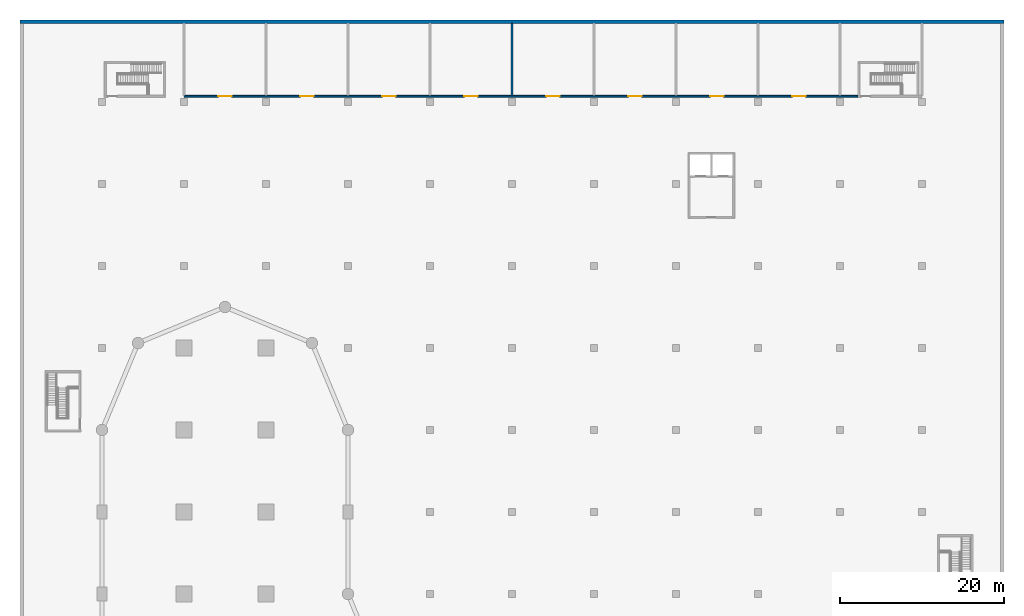
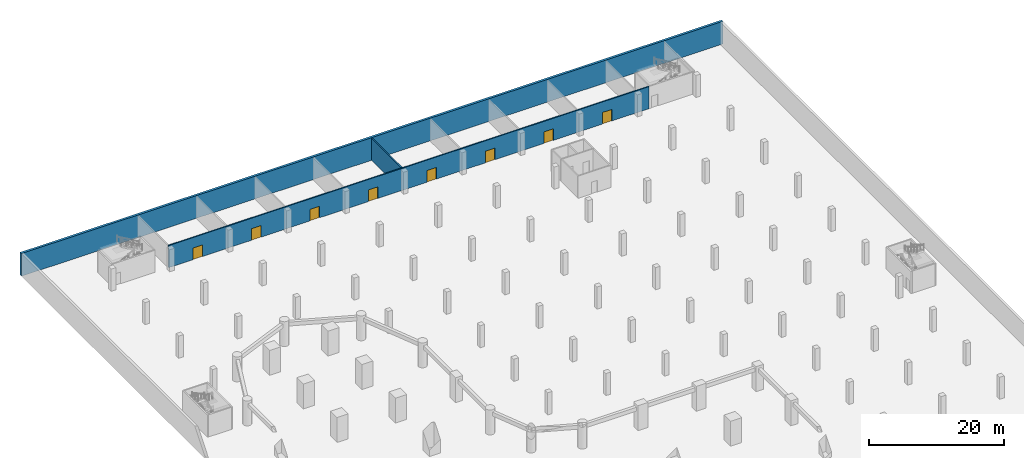
# One storey, part 10 of 19: 8 doors, 3 walls, 8 openings.
"""IFC4 building model written with IfcOpenShell, lengths in metres."""

from ifc_helpers import new_model, si_unit, direction, frame, frame_2d, origin, place, context, subcontext, project, spatial, rectangle, extrude, material, layer, layer_set, type_object, element, fill, save


model = new_model("IFC4")

# Units and contexts
model_context = context("Model", 3, precision=1e-05, world=origin(), true_north=direction((0.0, 1.0)))
body_context = subcontext(model_context, "Body", "Model", "MODEL_VIEW")
ifc_project = project(units=[si_unit("LENGTHUNIT", "METRE"), si_unit("AREAUNIT", "SQUARE_METRE"), si_unit("VOLUMEUNIT", "CUBIC_METRE"), si_unit("PLANEANGLEUNIT", "RADIAN"), si_unit("MASSUNIT", "GRAM", prefix="KILO")], contexts=[model_context])

# Site, building, storey
site_placement = place(None, origin())
site = spatial("IfcSite", under=ifc_project, at=site_placement, CompositionType="ELEMENT")
building_placement = place(site_placement, origin())
building = spatial("IfcBuilding", under=site, at=building_placement, Name="Qaws Garden Tower", CompositionType="ELEMENT")
storey_placement = place(building_placement, frame((0.0, 0.0, -4.5)))
storey = spatial("IfcBuildingStorey", under=building, at=storey_placement, Name="B1", CompositionType="ELEMENT", Elevation=-4.5)

# Wall, openings, doors
ifc_material_1 = material(Name="Blockwork", Category="masonry")
ifc_layer_1 = layer(ifc_material_1, 0.199951171875)
ifc_layer_set_1 = layer_set([ifc_layer_1], Name="Blockwork")
wall_type_1 = type_object("IfcWallType", Name="Plant room wall 200", PredefinedType="PARTITIONING", material=ifc_layer_set_1)
wall_1_placement = place(storey_placement, frame((10.0, 100.699951171875, 0.0), z_axis=(0.0, 0.0, 1.0), x_axis=(1.0, 0.0, 0.0)))
wall_1 = element("IfcWall", 1, at=wall_1_placement, inside=storey, type_object=wall_type_1, Name="Plant room wall", PredefinedType="PARTITIONING", context=body_context, shape_type="SweptSolid", body=[
    extrude(rectangle(XDim=82.199951171875, YDim=0.199951171875, at=frame_2d((41.10009765625, 0.0))), origin(), (0.0, 0.0, 1.0), 4.0),
])
opening_1_placement = place(wall_1_placement, frame((4.199951171875, 0.0, 0.0)))
opening_1 = element("IfcOpeningElement", 2, at=opening_1_placement, cuts=wall_1, Name="Opening PD7-01", PredefinedType="OPENING", context=body_context, shape_type="SweptSolid", body=[
    extrude(rectangle(XDim=1.60009765625, YDim=2.10009765625, at=frame_2d((0.800048828125, 1.050048828125))), frame((0.0, 0.10986328125, 0.0), z_axis=(0.0, -1.0, 0.0), x_axis=(1.0, 0.0, 0.0)), (0.0, 0.0, 1.0), 0.219970703125),
])
opening_2_placement = place(wall_1_placement, frame((14.199951171875, 0.0, 0.0)))
opening_2 = element("IfcOpeningElement", 3, at=opening_2_placement, cuts=wall_1, Name="Opening PD7-02", PredefinedType="OPENING", context=body_context, shape_type="SweptSolid", body=[
    extrude(rectangle(XDim=1.60009765625, YDim=2.10009765625, at=frame_2d((0.800048828125, 1.050048828125))), frame((0.0, 0.10986328125, 0.0), z_axis=(0.0, -1.0, 0.0), x_axis=(1.0, 0.0, 0.0)), (0.0, 0.0, 1.0), 0.219970703125),
])
opening_3_placement = place(wall_1_placement, frame((24.199951171875, 0.0, 0.0)))
opening_3 = element("IfcOpeningElement", 4, at=opening_3_placement, cuts=wall_1, Name="Opening PD7-03", PredefinedType="OPENING", context=body_context, shape_type="SweptSolid", body=[
    extrude(rectangle(XDim=1.60009765625, YDim=2.10009765625, at=frame_2d((0.800048828125, 1.050048828125))), frame((0.0, 0.10986328125, 0.0), z_axis=(0.0, -1.0, 0.0), x_axis=(1.0, 0.0, 0.0)), (0.0, 0.0, 1.0), 0.219970703125),
])
opening_4_placement = place(wall_1_placement, frame((34.199951171875, 0.0, 0.0)))
opening_4 = element("IfcOpeningElement", 5, at=opening_4_placement, cuts=wall_1, Name="Opening PD7-04", PredefinedType="OPENING", context=body_context, shape_type="SweptSolid", body=[
    extrude(rectangle(XDim=1.60009765625, YDim=2.10009765625, at=frame_2d((0.800048828125, 1.050048828125))), frame((0.0, 0.10986328125, 0.0), z_axis=(0.0, -1.0, 0.0), x_axis=(1.0, 0.0, 0.0)), (0.0, 0.0, 1.0), 0.219970703125),
])
opening_5_placement = place(wall_1_placement, frame((44.199951171875, 0.0, 0.0)))
opening_5 = element("IfcOpeningElement", 6, at=opening_5_placement, cuts=wall_1, Name="Opening PD7-05", PredefinedType="OPENING", context=body_context, shape_type="SweptSolid", body=[
    extrude(rectangle(XDim=1.60009765625, YDim=2.10009765625, at=frame_2d((0.800048828125, 1.050048828125))), frame((0.0, 0.10986328125, 0.0), z_axis=(0.0, -1.0, 0.0), x_axis=(1.0, 0.0, 0.0)), (0.0, 0.0, 1.0), 0.219970703125),
])
opening_6_placement = place(wall_1_placement, frame((54.199951171875, 0.0, 0.0)))
opening_6 = element("IfcOpeningElement", 7, at=opening_6_placement, cuts=wall_1, Name="Opening PD7-06", PredefinedType="OPENING", context=body_context, shape_type="SweptSolid", body=[
    extrude(rectangle(XDim=1.60009765625, YDim=2.10009765625, at=frame_2d((0.800048828125, 1.050048828125))), frame((0.0, 0.10986328125, 0.0), z_axis=(0.0, -1.0, 0.0), x_axis=(1.0, 0.0, 0.0)), (0.0, 0.0, 1.0), 0.219970703125),
])
opening_7_placement = place(wall_1_placement, frame((64.199951171875, 0.0, 0.0)))
opening_7 = element("IfcOpeningElement", 8, at=opening_7_placement, cuts=wall_1, Name="Opening PD7-07", PredefinedType="OPENING", context=body_context, shape_type="SweptSolid", body=[
    extrude(rectangle(XDim=1.60009765625, YDim=2.10009765625, at=frame_2d((0.800048828125, 1.050048828125))), frame((0.0, 0.10986328125, 0.0), z_axis=(0.0, -1.0, 0.0), x_axis=(1.0, 0.0, 0.0)), (0.0, 0.0, 1.0), 0.219970703125),
])
opening_8_placement = place(wall_1_placement, frame((74.199951171875, 0.0, 0.0)))
opening_8 = element("IfcOpeningElement", 9, at=opening_8_placement, cuts=wall_1, Name="Opening PD7-08", PredefinedType="OPENING", context=body_context, shape_type="SweptSolid", body=[
    extrude(rectangle(XDim=1.60009765625, YDim=2.10009765625, at=frame_2d((0.800048828125, 1.050048828125))), frame((0.0, 0.10986328125, 0.0), z_axis=(0.0, -1.0, 0.0), x_axis=(1.0, 0.0, 0.0)), (0.0, 0.0, 1.0), 0.219970703125),
])
ifc_material_2 = material(Name="Steel S235 framed door leaf", Category="steel")
door_type = type_object("IfcDoorType", Name="Door D7 plant double 1600", OperationType="DOUBLE_DOOR_SINGLE_SWING", PredefinedType="DOOR", material=ifc_material_2)
door_1_placement = place(opening_1_placement, origin())
door_1 = element("IfcDoor", 10, at=door_1_placement, inside=storey, type_object=door_type, Name="Plant room door", OperationType="DOUBLE_DOOR_SINGLE_SWING", OverallHeight=2.10009765625, OverallWidth=1.60009765625, PredefinedType="DOOR", context=body_context, shape_type="SweptSolid", body=[
    extrude(rectangle(XDim=1.60009765625, YDim=2.10009765625, at=frame_2d((0.800048828125, 1.050048828125))), frame((0.0, 0.02490234375, 0.0), z_axis=(0.0, -1.0, 0.0), x_axis=(1.0, 0.0, 0.0)), (0.0, 0.0, 1.0), 0.050048828125),
])
fill(opening_1, door_1)
door_2_placement = place(opening_2_placement, origin())
door_2 = element("IfcDoor", 11, at=door_2_placement, inside=storey, type_object=door_type, Name="Plant room door", OperationType="DOUBLE_DOOR_SINGLE_SWING", OverallHeight=2.10009765625, OverallWidth=1.60009765625, PredefinedType="DOOR", context=body_context, shape_type="SweptSolid", body=[
    extrude(rectangle(XDim=1.60009765625, YDim=2.10009765625, at=frame_2d((0.800048828125, 1.050048828125))), frame((0.0, 0.02490234375, 0.0), z_axis=(0.0, -1.0, 0.0), x_axis=(1.0, 0.0, 0.0)), (0.0, 0.0, 1.0), 0.050048828125),
])
fill(opening_2, door_2)
door_3_placement = place(opening_3_placement, origin())
door_3 = element("IfcDoor", 12, at=door_3_placement, inside=storey, type_object=door_type, Name="Plant room door", OperationType="DOUBLE_DOOR_SINGLE_SWING", OverallHeight=2.10009765625, OverallWidth=1.60009765625, PredefinedType="DOOR", context=body_context, shape_type="SweptSolid", body=[
    extrude(rectangle(XDim=1.60009765625, YDim=2.10009765625, at=frame_2d((0.800048828125, 1.050048828125))), frame((0.0, 0.02490234375, 0.0), z_axis=(0.0, -1.0, 0.0), x_axis=(1.0, 0.0, 0.0)), (0.0, 0.0, 1.0), 0.050048828125),
])
fill(opening_3, door_3)
door_4_placement = place(opening_4_placement, origin())
door_4 = element("IfcDoor", 13, at=door_4_placement, inside=storey, type_object=door_type, Name="Plant room door", OperationType="DOUBLE_DOOR_SINGLE_SWING", OverallHeight=2.10009765625, OverallWidth=1.60009765625, PredefinedType="DOOR", context=body_context, shape_type="SweptSolid", body=[
    extrude(rectangle(XDim=1.60009765625, YDim=2.10009765625, at=frame_2d((0.800048828125, 1.050048828125))), frame((0.0, 0.02490234375, 0.0), z_axis=(0.0, -1.0, 0.0), x_axis=(1.0, 0.0, 0.0)), (0.0, 0.0, 1.0), 0.050048828125),
])
fill(opening_4, door_4)
door_5_placement = place(opening_5_placement, origin())
door_5 = element("IfcDoor", 14, at=door_5_placement, inside=storey, type_object=door_type, Name="Plant room door", OperationType="DOUBLE_DOOR_SINGLE_SWING", OverallHeight=2.10009765625, OverallWidth=1.60009765625, PredefinedType="DOOR", context=body_context, shape_type="SweptSolid", body=[
    extrude(rectangle(XDim=1.60009765625, YDim=2.10009765625, at=frame_2d((0.800048828125, 1.050048828125))), frame((0.0, 0.02490234375, 0.0), z_axis=(0.0, -1.0, 0.0), x_axis=(1.0, 0.0, 0.0)), (0.0, 0.0, 1.0), 0.050048828125),
])
fill(opening_5, door_5)
door_6_placement = place(opening_6_placement, origin())
door_6 = element("IfcDoor", 15, at=door_6_placement, inside=storey, type_object=door_type, Name="Plant room door", OperationType="DOUBLE_DOOR_SINGLE_SWING", OverallHeight=2.10009765625, OverallWidth=1.60009765625, PredefinedType="DOOR", context=body_context, shape_type="SweptSolid", body=[
    extrude(rectangle(XDim=1.60009765625, YDim=2.10009765625, at=frame_2d((0.800048828125, 1.050048828125))), frame((0.0, 0.02490234375, 0.0), z_axis=(0.0, -1.0, 0.0), x_axis=(1.0, 0.0, 0.0)), (0.0, 0.0, 1.0), 0.050048828125),
])
fill(opening_6, door_6)
door_7_placement = place(opening_7_placement, origin())
door_7 = element("IfcDoor", 16, at=door_7_placement, inside=storey, type_object=door_type, Name="Plant room door", OperationType="DOUBLE_DOOR_SINGLE_SWING", OverallHeight=2.10009765625, OverallWidth=1.60009765625, PredefinedType="DOOR", context=body_context, shape_type="SweptSolid", body=[
    extrude(rectangle(XDim=1.60009765625, YDim=2.10009765625, at=frame_2d((0.800048828125, 1.050048828125))), frame((0.0, 0.02490234375, 0.0), z_axis=(0.0, -1.0, 0.0), x_axis=(1.0, 0.0, 0.0)), (0.0, 0.0, 1.0), 0.050048828125),
])
fill(opening_7, door_7)
door_8_placement = place(opening_8_placement, origin())
door_8 = element("IfcDoor", 17, at=door_8_placement, inside=storey, type_object=door_type, Name="Plant room door", OperationType="DOUBLE_DOOR_SINGLE_SWING", OverallHeight=2.10009765625, OverallWidth=1.60009765625, PredefinedType="DOOR", context=body_context, shape_type="SweptSolid", body=[
    extrude(rectangle(XDim=1.60009765625, YDim=2.10009765625, at=frame_2d((0.800048828125, 1.050048828125))), frame((0.0, 0.02490234375, 0.0), z_axis=(0.0, -1.0, 0.0), x_axis=(1.0, 0.0, 0.0)), (0.0, 0.0, 1.0), 0.050048828125),
])
fill(opening_8, door_8)

# Walls
wall_2_placement = place(storey_placement, frame((50.0, 100.800048828125, 0.0), z_axis=(0.0, 0.0, 1.0), x_axis=(0.0, 1.0, 0.0)))
element("IfcWall", 18, at=wall_2_placement, inside=storey, type_object=wall_type_1, Name="Plant room partition", PredefinedType="PARTITIONING", context=body_context, shape_type="SweptSolid", body=[
    extrude(rectangle(XDim=8.800048828125, YDim=0.199951171875, at=frame_2d((4.39990234375, 0.0))), origin(), (0.0, 0.0, 1.0), 4.0),
])
ifc_material_3 = material(Name="Concrete C45", Category="concrete")
ifc_layer_2 = layer(ifc_material_3, 0.39990234375)
ifc_layer_set_2 = layer_set([ifc_layer_2], Name="Concrete C45")
wall_type_2 = type_object("IfcWallType", Name="Retaining wall 400", PredefinedType="SOLIDWALL", material=ifc_layer_set_2)
wall_3_placement = place(storey_placement, frame((110.0, 109.800048828125, 0.0), z_axis=(0.0, 0.0, 1.0), x_axis=(-1.0, 0.0, 0.0)))
element("IfcWall", 19, at=wall_3_placement, inside=storey, type_object=wall_type_2, Name="Retaining wall N B1", PredefinedType="SOLIDWALL", context=body_context, shape_type="SweptSolid", body=[
    extrude(rectangle(XDim=120.0, YDim=0.39990234375, at=frame_2d((60.0, 0.0))), origin(), (0.0, 0.0, 1.0), 4.10009765625),
])

save(model, "model.ifc")
